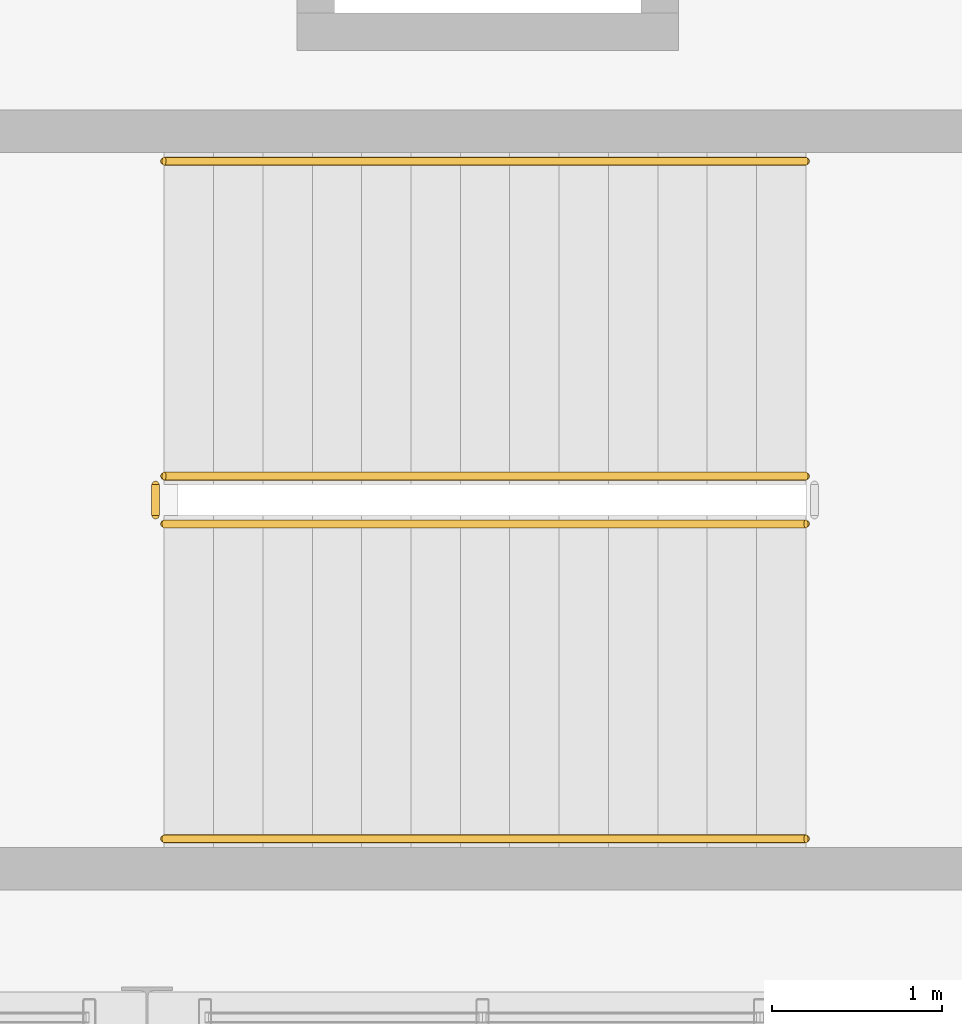
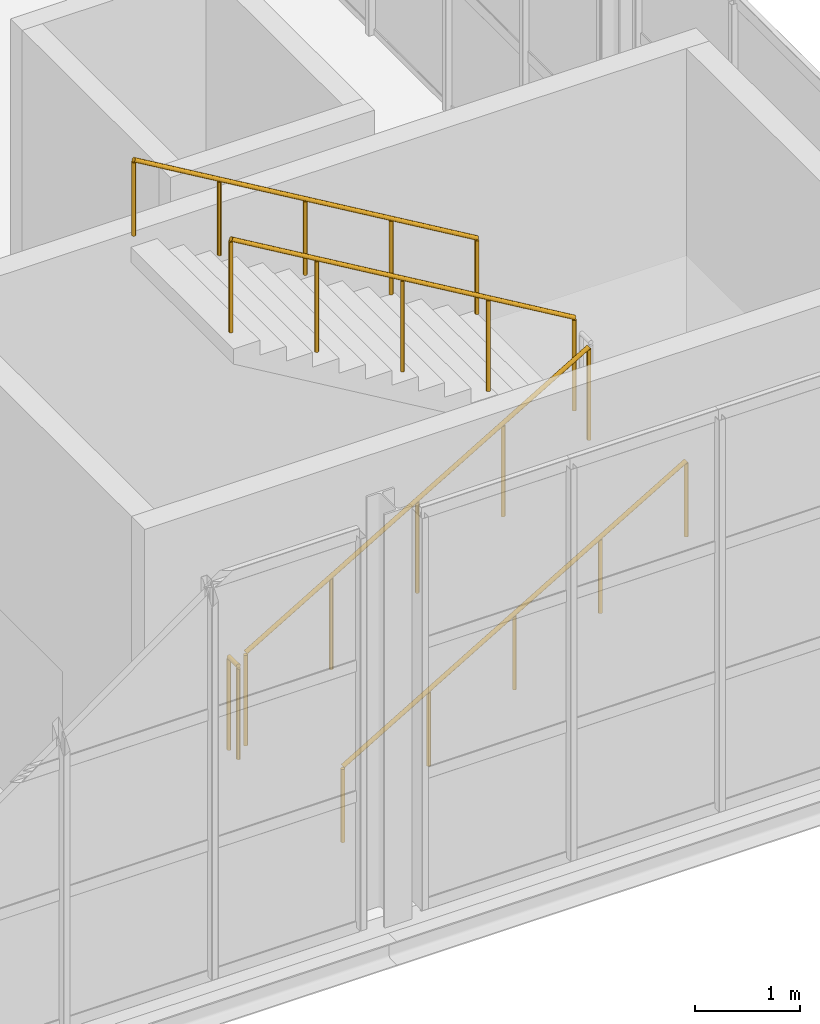
# One storey, part 134 of 143: 5 railings.
"""IFC4 building model written with IfcOpenShell, lengths in metres."""

from ifc_helpers import new_model, si_unit, derived_unit, direction, frame, origin, origin_2d, place, context, subcontext, project, spatial, circle, extrude, material, type_object, element, save


model = new_model("IFC4")

# Units and contexts
model_context = context("Model", 3, precision=1e-05, world=origin(), true_north=direction((0.0, 1.0)))
body_context = subcontext(model_context, "Body", "Model", "MODEL_VIEW")
ifc_project = project(units=[si_unit("LENGTHUNIT", "METRE"), si_unit("AREAUNIT", "SQUARE_METRE"), si_unit("VOLUMEUNIT", "CUBIC_METRE"), si_unit("PLANEANGLEUNIT", "RADIAN"), si_unit("MASSUNIT", "GRAM", prefix="KILO"), derived_unit("THERMALTRANSMITTANCEUNIT", [(si_unit("POWERUNIT", "WATT"), 1), (si_unit("LENGTHUNIT", "METRE"), -2), (si_unit("THERMODYNAMICTEMPERATUREUNIT", "KELVIN"), -1)])], contexts=[model_context])

# Site, building, storey
site_placement = place(None, origin())
site = spatial("IfcSite", under=ifc_project, at=site_placement, CompositionType="ELEMENT")
building_placement = place(site_placement, origin())
building = spatial("IfcBuilding", under=site, at=building_placement, Name="Keldorne Ridge Multi-Sports Centre", CompositionType="ELEMENT")
storey_placement = place(building_placement, frame((0.0, 0.0, 4.800048828125)))
storey = spatial("IfcBuildingStorey", under=building, at=storey_placement, Name="L01", CompositionType="ELEMENT", Elevation=4.800048828125)

# Railings
ifc_material_1 = material(Name="Laminated glass and stainless steel", Category="steel")
railing_type_1 = type_object("IfcRailingType", Name="RLG-BL-01", PredefinedType="BALUSTRADE", material=ifc_material_1)
railing_1_placement = place(storey_placement, frame((34.89990234375, 76.89990234375, 0.17138671875)))
element("IfcRailing", 1, at=railing_1_placement, inside=storey, type_object=railing_type_1, Name="L01 ST-06 stair guard 1", PredefinedType="BALUSTRADE", context=body_context, shape_type="SweptSolid", body=[
    extrude(circle(Radius=0.02392578125, at=origin_2d()), frame((0.0, 0.0, 1.076171875), z_axis=(0.860848830602, 0.0, 0.508860777473), x_axis=(0.0, 1.0, 0.0)), (0.0, 0.0, 1.0), 4.37939453125),
    extrude(circle(Radius=0.02099609375, at=origin_2d()), origin(), (0.0, 0.0, 1.0), 1.052001953125),
    extrude(circle(Radius=0.02099609375, at=origin_2d()), frame((0.9423828125, 0.0, 0.55712890625)), (0.0, 0.0, 1.0), 1.052001953125),
    extrude(circle(Radius=0.02099609375, at=origin_2d()), frame((1.885009765625, 0.0, 1.1142578125)), (0.0, 0.0, 1.0), 1.052001953125),
    extrude(circle(Radius=0.02099609375, at=origin_2d()), frame((2.82763671875, 0.0, 1.67138671875)), (0.0, 0.0, 1.0), 1.052001953125),
    extrude(circle(Radius=0.02099609375, at=origin_2d()), frame((3.77001953125, 0.0, 2.228515625)), (0.0, 0.0, 1.0), 1.052001953125),
])
railing_2_placement = place(storey_placement, frame((38.669921875, 77.179931640625, 2.5712890625)))
element("IfcRailing", 2, at=railing_2_placement, inside=storey, type_object=railing_type_1, Name="L01 ST-06 stair guard 3", PredefinedType="BALUSTRADE", context=body_context, shape_type="SweptSolid", body=[
    extrude(circle(Radius=0.02392578125, at=origin_2d()), frame((0.0, 0.0, 1.076171875), z_axis=(-0.860824410104, 0.0, 0.508902087802), x_axis=(0.0, -1.0, 0.0)), (0.0, 0.0, 1.0), 4.379638671875),
    extrude(circle(Radius=0.02099609375, at=origin_2d()), origin(), (0.0, 0.0, 1.0), 1.052001953125),
    extrude(circle(Radius=0.02099609375, at=origin_2d()), frame((-0.9423828125, 0.0, 0.55712890625)), (0.0, 0.0, 1.0), 1.052001953125),
    extrude(circle(Radius=0.02099609375, at=origin_2d()), frame((-1.885009765625, 0.0, 1.1142578125)), (0.0, 0.0, 1.0), 1.052001953125),
    extrude(circle(Radius=0.02099609375, at=origin_2d()), frame((-2.82763671875, 0.0, 1.671630859375)), (0.0, 0.0, 1.0), 1.052001953125),
    extrude(circle(Radius=0.02099609375, at=origin_2d()), frame((-3.77001953125, 0.0, 2.228759765625)), (0.0, 0.0, 1.0), 1.052001953125),
])
railing_3_placement = place(storey_placement, frame((34.85009765625, 76.949951171875, 0.0)))
element("IfcRailing", 3, at=railing_3_placement, inside=storey, type_object=railing_type_1, Name="L01 ST-06 stair guard 4", PredefinedType="BALUSTRADE", context=body_context, shape_type="SweptSolid", body=[
    extrude(circle(Radius=0.02392578125, at=origin_2d()), frame((0.0, 0.0, 1.076171875), z_axis=(0.0, 1.0, 0.0), x_axis=(-1.0, 0.0, 0.0)), (0.0, 0.0, 1.0), 0.179931640625),
    extrude(circle(Radius=0.02099609375, at=origin_2d()), origin(), (0.0, 0.0, 1.0), 1.052001953125),
    extrude(circle(Radius=0.02099609375, at=origin_2d()), frame((0.0, 0.179931640625, 0.0)), (0.0, 0.0, 1.0), 1.052001953125),
])
ifc_material_2 = material(Name="Stainless steel", Category="steel")
railing_type_2 = type_object("IfcRailingType", Name="RLG-HR-01", PredefinedType="HANDRAIL", material=ifc_material_2)
railing_4_placement = place(storey_placement, frame((34.89990234375, 75.050048828125, 0.17138671875)))
element("IfcRailing", 4, at=railing_4_placement, inside=storey, type_object=railing_type_2, Name="L01 ST-06 stair handrail 1", PredefinedType="HANDRAIL", context=body_context, shape_type="SweptSolid", body=[
    extrude(circle(Radius=0.02392578125, at=origin_2d()), frame((0.0, 0.0, 0.8759765625), z_axis=(0.860848830602, 0.0, 0.508860777473), x_axis=(0.0, 1.0, 0.0)), (0.0, 0.0, 1.0), 4.37939453125),
    extrude(circle(Radius=0.02099609375, at=origin_2d()), origin(), (0.0, 0.0, 1.0), 0.851806640625),
    extrude(circle(Radius=0.02099609375, at=origin_2d()), frame((0.9423828125, 0.0, 0.55712890625)), (0.0, 0.0, 1.0), 0.851806640625),
    extrude(circle(Radius=0.02099609375, at=origin_2d()), frame((1.885009765625, 0.0, 1.1142578125)), (0.0, 0.0, 1.0), 0.851806640625),
    extrude(circle(Radius=0.02099609375, at=origin_2d()), frame((2.82763671875, 0.0, 1.67138671875)), (0.0, 0.0, 1.0), 0.851806640625),
    extrude(circle(Radius=0.02099609375, at=origin_2d()), frame((3.77001953125, 0.0, 2.228515625)), (0.0, 0.0, 1.0), 0.851806640625),
])
railing_5_placement = place(storey_placement, frame((38.669921875, 79.030029296875, 2.5712890625)))
element("IfcRailing", 5, at=railing_5_placement, inside=storey, type_object=railing_type_2, Name="L01 ST-06 stair handrail 2", PredefinedType="HANDRAIL", context=body_context, shape_type="SweptSolid", body=[
    extrude(circle(Radius=0.02392578125, at=origin_2d()), frame((0.0, 0.0, 0.8759765625), z_axis=(-0.860824410104, 0.0, 0.508902087802), x_axis=(0.0, -1.0, 0.0)), (0.0, 0.0, 1.0), 4.379638671875),
    extrude(circle(Radius=0.02099609375, at=origin_2d()), origin(), (0.0, 0.0, 1.0), 0.851806640625),
    extrude(circle(Radius=0.02099609375, at=origin_2d()), frame((-0.9423828125, 0.0, 0.55712890625)), (0.0, 0.0, 1.0), 0.851806640625),
    extrude(circle(Radius=0.02099609375, at=origin_2d()), frame((-1.885009765625, 0.0, 1.1142578125)), (0.0, 0.0, 1.0), 0.851806640625),
    extrude(circle(Radius=0.02099609375, at=origin_2d()), frame((-2.82763671875, 0.0, 1.671630859375)), (0.0, 0.0, 1.0), 0.851806640625),
    extrude(circle(Radius=0.02099609375, at=origin_2d()), frame((-3.77001953125, 0.0, 2.228759765625)), (0.0, 0.0, 1.0), 0.851806640625),
])

save(model, "model.ifc")
